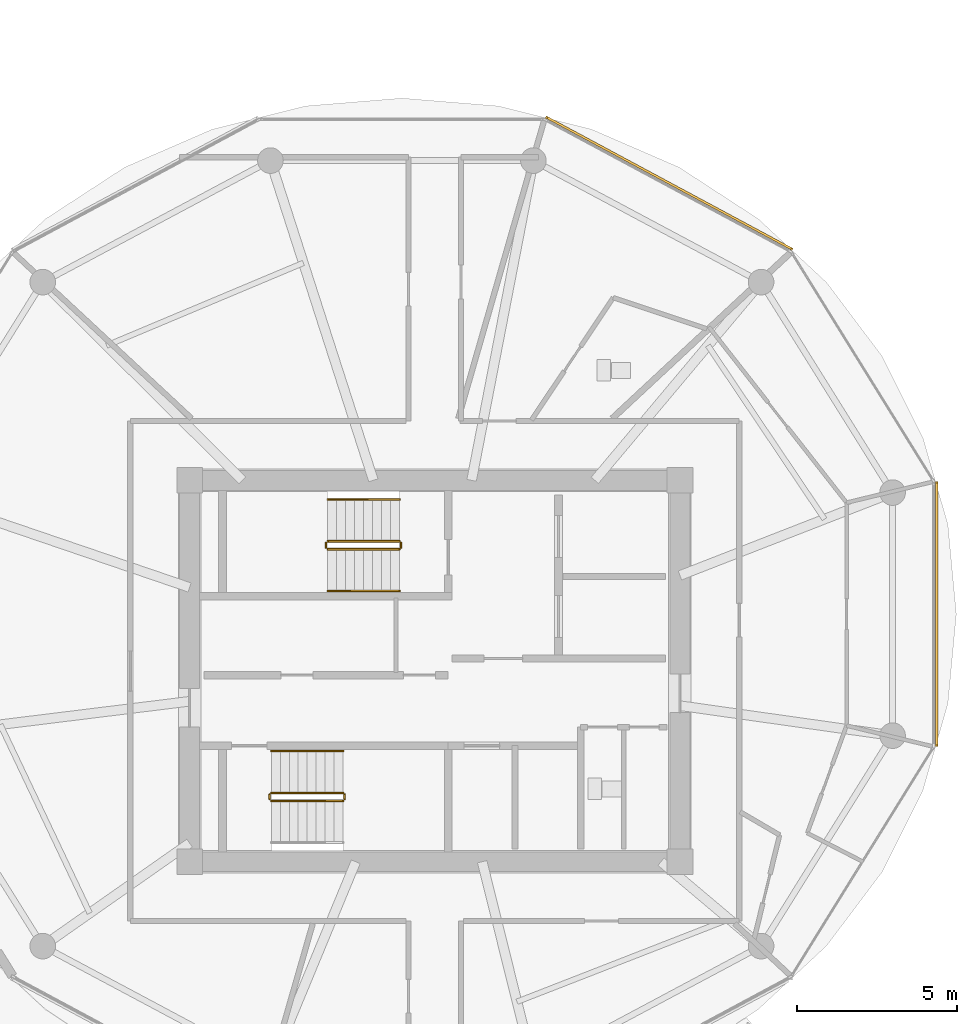
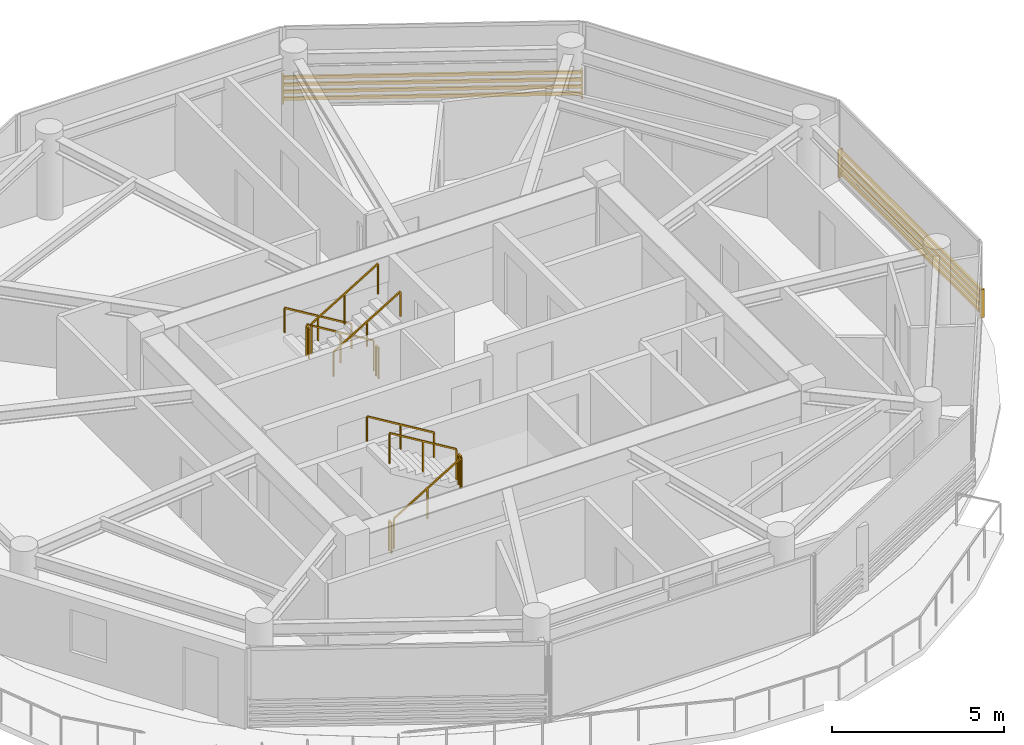
# One storey, part 20 of 21: 11 railings, 2 shading devices.
"""IFC4 building model written with IfcOpenShell, lengths in metres."""

import ifcopenshell
import ifcopenshell.guid

model = None  # the IFC model being written
_history = None  # IfcOwnerHistory: only IFC2X3 demands one
_inside = {}  # id of a spatial element -> (the spatial element, [elements in it])
_under = {}  # id of a project, library or spatial element -> (it, [spatial elements below it])
_declared = {}  # id of a project -> (the project, [libraries it declares])
_typed = {}  # id of a type object -> (the type object, [elements of that type])
_made_of = {}  # id of a material, layer set ... -> (it, [elements and type objects made of it])


def new_model(schema):
    """Start an empty IFC model of exactly this schema.

    Asked for "IFC4X3", IfcOpenShell would pick the latest addendum, in which some entities
    have other attributes; the version numbers below select the first issue.
    IFC2X3 requires an IfcOwnerHistory on every rooted entity: one is made here for all.
    """
    global model, _history
    if schema == "IFC4X3":
        model = ifcopenshell.file(schema_version=(4, 3, 0, 0))
    else:
        model = ifcopenshell.file(schema=schema)
    _inside.clear()
    _under.clear()
    _declared.clear()
    _typed.clear()
    _made_of.clear()
    _history = None
    if model.schema == "IFC2X3":
        org = make("IfcOrganization", Name="unknown")
        user = make(
            "IfcPersonAndOrganization",
            ThePerson=make("IfcPerson", FamilyName="unknown"),
            TheOrganization=org,
        )
        app = make(
            "IfcApplication",
            ApplicationDeveloper=org,
            Version="unknown",
            ApplicationFullName="unknown",
            ApplicationIdentifier="unknown",
        )
        _history = make(
            "IfcOwnerHistory",
            OwningUser=user,
            OwningApplication=app,
            ChangeAction="ADDED",
            CreationDate=0,
        )
    return model


def make(cls, **values):
    """One entity of the class cls with the attributes given. An attribute that is None is left unset."""
    return model.create_entity(
        cls, **{name: value for name, value in values.items() if value is not None}
    )


def rooted(cls, **values):
    """An entity with a GlobalId (a new one), such as an element, a storey or a relation."""
    return make(cls, GlobalId=ifcopenshell.guid.new(), OwnerHistory=_history, **values)


def si_unit(unit_type, name, prefix=None):
    """IfcSIUnit, for example si_unit("LENGTHUNIT", "METRE", prefix="MILLI")."""
    return make("IfcSIUnit", UnitType=unit_type, Prefix=prefix, Name=name)


def assignment(units):
    """IfcUnitAssignment: the units of a project."""
    return None if units is None else make("IfcUnitAssignment", Units=units)


def point(xyz):
    """IfcCartesianPoint."""
    return None if xyz is None else make("IfcCartesianPoint", Coordinates=xyz)


def direction(xyz):
    """IfcDirection."""
    return None if xyz is None else make("IfcDirection", DirectionRatios=xyz)


def frame(location, z_axis=None, x_axis=None):
    """IfcAxis2Placement3D, a coordinate frame: its origin and axes. An axis left out is left unset."""
    return make(
        "IfcAxis2Placement3D",
        Location=point(location),
        Axis=direction(z_axis),
        RefDirection=direction(x_axis),
    )


def frame_2d(location, x_axis=None):
    """IfcAxis2Placement2D, a coordinate frame in the plane: its origin and x axis."""
    return make(
        "IfcAxis2Placement2D", Location=point(location), RefDirection=direction(x_axis)
    )


def origin():
    """The frame at (0, 0, 0) with its axes left unset."""
    return frame((0.0, 0.0, 0.0))


def origin_2d():
    """The frame at (0, 0) in the plane with its x axis left unset."""
    return frame_2d((0.0, 0.0))


def place(relative_to, where):
    """IfcLocalPlacement: puts the frame where relative to a parent placement (None: the world)."""
    return make(
        "IfcLocalPlacement", PlacementRelTo=relative_to, RelativePlacement=where
    )


def context(
    kind, dimensions, precision=None, world=None, true_north=None, identifier=None
):
    """IfcGeometricRepresentationContext, for example the 3D "Model" context."""
    return make(
        "IfcGeometricRepresentationContext",
        ContextIdentifier=identifier,
        ContextType=kind,
        CoordinateSpaceDimension=dimensions,
        Precision=precision,
        WorldCoordinateSystem=world,
        TrueNorth=true_north,
    )


def subcontext(parent, identifier, kind, view, scale=None):
    """IfcGeometricRepresentationSubContext, for example "Body" below "Model"."""
    return make(
        "IfcGeometricRepresentationSubContext",
        ContextIdentifier=identifier,
        ContextType=kind,
        ParentContext=parent,
        TargetScale=scale,
        TargetView=view,
    )


def project(units=None, contexts=None):
    """IfcProject with its units and contexts."""
    return rooted(
        "IfcProject",
        Name="project",
        RepresentationContexts=contexts,
        UnitsInContext=assignment(units),
    )


def spatial(cls, under=None, at=None, **own):
    """A site, building, storey or space (cls), placed at a placement, below another one or the project."""
    s = rooted(cls, ObjectPlacement=at, **own)
    if under is not None:
        _under.setdefault(under.id(), (under, []))[1].append(s)
    return s


def profile(cls, at=None, kind="AREA", **sizes):
    """A parametric profile (cls). Its sizes go by their IFC names, for example OverallWidth=200.0."""
    return make(cls, ProfileType=kind, Position=at, **sizes)


def rectangle(**sizes):
    """IfcRectangleProfileDef."""
    return profile("IfcRectangleProfileDef", **sizes)


def extrude(swept, where, along, depth):
    """IfcExtrudedAreaSolid: the profile swept, set in the frame where, extruded along a direction by depth."""
    return make(
        "IfcExtrudedAreaSolid",
        SweptArea=swept,
        Position=where,
        ExtrudedDirection=direction(along),
        Depth=depth,
    )


def shape(context_of_items, identifier, shape_type, items):
    """IfcShapeRepresentation: the items that make up one representation, for example the "Body"."""
    return make(
        "IfcShapeRepresentation",
        ContextOfItems=context_of_items,
        RepresentationIdentifier=identifier,
        RepresentationType=shape_type,
        Items=items,
    )


def source(mapping_origin, context_of_items, identifier, shape_type, items):
    """IfcRepresentationMap: a shape defined once, which mapped items show again and again."""
    return make(
        "IfcRepresentationMap",
        MappingOrigin=mapping_origin,
        MappedRepresentation=shape(context_of_items, identifier, shape_type, items),
    )


def transform(
    local_origin,
    x_axis=None,
    y_axis=None,
    z_axis=None,
    scale=None,
    scale2=None,
    scale3=None,
    uniform=True,
):
    """IfcCartesianTransformationOperator3D, or its non-uniform kind. x_axis, y_axis, z_axis: its Axis1, 2, 3."""
    if uniform:
        return make(
            "IfcCartesianTransformationOperator3D",
            Axis1=direction(x_axis),
            Axis2=direction(y_axis),
            LocalOrigin=point(local_origin),
            Scale=scale,
            Axis3=direction(z_axis),
        )
    return make(
        "IfcCartesianTransformationOperator3DnonUniform",
        Axis1=direction(x_axis),
        Axis2=direction(y_axis),
        LocalOrigin=point(local_origin),
        Scale=scale,
        Axis3=direction(z_axis),
        Scale2=scale2,
        Scale3=scale3,
    )


def mapped(mapping_source, mapping_target):
    """IfcMappedItem: shows the shape of a source again, moved by a transform."""
    return make(
        "IfcMappedItem", MappingSource=mapping_source, MappingTarget=mapping_target
    )


def material(Name=None, Category=None):
    """IfcMaterial."""
    return make("IfcMaterial", Name=Name, Category=Category)


def made_of(thing, what):
    """Note that an element or type object is made of a material, layer set ...; save() writes the relation."""
    if what is not None:
        _made_of.setdefault(what.id(), (what, []))[1].append(thing)
    return thing


def type_object(cls, material=None, **own):
    """A type object (cls), such as IfcWallType, which elements share."""
    return made_of(rooted(cls, **own), material)


def type_shapes(of_type, sources):
    """Give a type object the sources (RepresentationMaps) that its elements show as mapped items."""
    of_type.RepresentationMaps = sources


def element(
    cls,
    number,
    at=None,
    inside=None,
    cuts=None,
    type_object=None,
    material=None,
    context=None,
    identifier="Body",
    shape_type=None,
    held_by="IfcProductDefinitionShape",
    body=None,
    shapes=None,
    **own,
):
    """One element of the class cls, such as IfcWall. Its Tag is "e" and its number.

    at: its placement. inside: the storey or other place that contains it. cuts: it is an
    opening in that element (IfcRelVoidsElement). A single representation is given by context,
    identifier, shape_type and body (its items); several are given by shapes. held_by: the class
    of the entity that holds the representations. save() writes the other relations.
    """
    e = rooted(cls, Tag="e%d" % number, ObjectPlacement=at, **own)
    if body is not None:
        shapes = [shape(context, identifier, shape_type, body)]
    if shapes is not None:
        e.Representation = make(held_by, Representations=shapes)
    if inside is not None:
        _inside.setdefault(inside.id(), (inside, []))[1].append(e)
    if cuts is not None:
        rooted(
            "IfcRelVoidsElement", RelatingBuildingElement=cuts, RelatedOpeningElement=e
        )
    if type_object is not None:
        _typed.setdefault(type_object.id(), (type_object, []))[1].append(e)
    return made_of(e, material)


def aggregate(whole, parts):
    """IfcRelAggregates: a whole, such as a stair, and the parts it consists of."""
    return rooted("IfcRelAggregates", RelatingObject=whole, RelatedObjects=parts)


def save(model, path):
    """Write the relations noted so far, then the file.

    IfcRelAggregates (storeys below a building ...), IfcRelContainedInSpatialStructure (elements
    in a storey), IfcRelDefinesByType, IfcRelAssociatesMaterial and IfcRelDeclares: one each for
    every whole, place, type object, material and project.
    """
    for whole, parts in _under.values():
        aggregate(whole, parts)
    for where, things in _inside.values():
        rooted(
            "IfcRelContainedInSpatialStructure",
            RelatedElements=things,
            RelatingStructure=where,
        )
    for kind, things in _typed.values():
        rooted("IfcRelDefinesByType", RelatedObjects=things, RelatingType=kind)
    for what, things in _made_of.values():
        rooted("IfcRelAssociatesMaterial", RelatedObjects=things, RelatingMaterial=what)
    for by, libraries in _declared.values():
        rooted("IfcRelDeclares", RelatingContext=by, RelatedDefinitions=libraries)
    model.write(path)


model = new_model("IFC4")

# Units and contexts
model_context = context("Model", 3, precision=1e-05, world=origin(), true_north=direction((0.0, 1.0)))
body_context = subcontext(model_context, "Body", "Model", "MODEL_VIEW")
ifc_project = project(units=[si_unit("LENGTHUNIT", "METRE"), si_unit("AREAUNIT", "SQUARE_METRE"), si_unit("VOLUMEUNIT", "CUBIC_METRE"), si_unit("PLANEANGLEUNIT", "RADIAN"), si_unit("MASSUNIT", "GRAM", prefix="KILO")], contexts=[model_context])

# Site, building, storey
site_placement = place(None, origin())
site = spatial("IfcSite", under=ifc_project, at=site_placement, CompositionType="ELEMENT")
building_placement = place(site_placement, origin())
building = spatial("IfcBuilding", under=site, at=building_placement, Name="Norrkilde Senior Care Towers", CompositionType="ELEMENT")
storey_placement = place(building_placement, frame((0.0, 0.0, 146.5)))
storey = spatial("IfcBuildingStorey", under=building, at=storey_placement, Name="L45", CompositionType="ELEMENT", Elevation=146.5)

# Railings
ifc_material_1 = material(Name="Stainless Steel", Category="steel")
railing_type_1 = type_object("IfcRailingType", Name="Stair and Terrace Guardrail 1100", PredefinedType="GUARDRAIL", material=ifc_material_1)
railing_1_placement = place(storey_placement, frame((26.89990234375, 4.050048828125, 0.16943359375)))
element("IfcRailing", 1, at=railing_1_placement, inside=storey, type_object=railing_type_1, Name="L45 ST-E1 stair guard 1", PredefinedType="GUARDRAIL", context=body_context, shape_type="SweptSolid", body=[
    extrude(rectangle(XDim=0.048095703125, YDim=0.048095703125, at=origin_2d()), frame((0.0, 0.0, 1.076171875), z_axis=(-0.855553338991, 0.0, 0.51771467445), x_axis=(0.0, -1.0, 0.0)), (0.0, 0.0, 1.0), 2.6181640625),
    extrude(rectangle(XDim=0.0419921875, YDim=0.0419921875, at=origin_2d()), origin(), (0.0, 0.0, 1.0), 1.050048828125),
    extrude(rectangle(XDim=0.0419921875, YDim=0.0419921875, at=origin_2d()), frame((-1.1201171875, 0.0, 0.677734375)), (0.0, 0.0, 1.0), 1.050048828125),
    extrude(rectangle(XDim=0.0419921875, YDim=0.0419921875, at=origin_2d()), frame((-2.239990234375, 0.0, 1.35546875)), (0.0, 0.0, 1.0), 1.050048828125),
])
railing_2_placement = place(storey_placement, frame((24.610107421875, 4.0, 1.52490234375)))
element("IfcRailing", 2, at=railing_2_placement, inside=storey, type_object=railing_type_1, Name="L45 ST-E1 stair guard 2", PredefinedType="GUARDRAIL", context=body_context, shape_type="SweptSolid", body=[
    extrude(rectangle(XDim=0.048095703125, YDim=0.048095703125, at=origin_2d()), frame((0.0, 0.0, 1.076171875), z_axis=(0.0, -1.0, 0.0), x_axis=(1.0, 0.0, 0.0)), (0.0, 0.0, 1.0), 0.14990234375),
    extrude(rectangle(XDim=0.0419921875, YDim=0.0419921875, at=origin_2d()), origin(), (0.0, 0.0, 1.0), 1.050048828125),
    extrude(rectangle(XDim=0.0419921875, YDim=0.0419921875, at=origin_2d()), frame((0.0, -0.14990234375, 0.0)), (0.0, 0.0, 1.0), 1.050048828125),
])
railing_3_placement = place(storey_placement, frame((24.659912109375, 3.800048828125, 1.6943359375)))
element("IfcRailing", 3, at=railing_3_placement, inside=storey, type_object=railing_type_1, Name="L45 ST-E1 stair guard 3", PredefinedType="GUARDRAIL", context=body_context, shape_type="SweptSolid", body=[
    extrude(rectangle(XDim=0.048095703125, YDim=0.048095703125, at=origin_2d()), frame((0.0, 0.0, 1.076171875), z_axis=(0.855512035549, 0.0, 0.517782924622), x_axis=(0.0, 1.0, 0.0)), (0.0, 0.0, 1.0), 2.618408203125),
    extrude(rectangle(XDim=0.0419921875, YDim=0.0419921875, at=origin_2d()), origin(), (0.0, 0.0, 1.0), 1.050048828125),
    extrude(rectangle(XDim=0.0419921875, YDim=0.0419921875, at=origin_2d()), frame((1.1201171875, 0.0, 0.677734375)), (0.0, 0.0, 1.0), 1.050048828125),
    extrude(rectangle(XDim=0.0419921875, YDim=0.0419921875, at=origin_2d()), frame((2.239990234375, 0.0, 1.355712890625)), (0.0, 0.0, 1.0), 1.050048828125),
])
railing_4_placement = place(storey_placement, frame((26.949951171875, 4.0, 0.0)))
element("IfcRailing", 4, at=railing_4_placement, inside=storey, type_object=railing_type_1, Name="L45 ST-E1 stair guard 4", PredefinedType="GUARDRAIL", context=body_context, shape_type="SweptSolid", body=[
    extrude(rectangle(XDim=0.048095703125, YDim=0.048095703125, at=origin_2d()), frame((0.0, 0.0, 1.076171875), z_axis=(0.0, -1.0, 0.0), x_axis=(1.0, 0.0, 0.0)), (0.0, 0.0, 1.0), 0.14990234375),
    extrude(rectangle(XDim=0.0419921875, YDim=0.0419921875, at=origin_2d()), origin(), (0.0, 0.0, 1.0), 1.050048828125),
    extrude(rectangle(XDim=0.0419921875, YDim=0.0419921875, at=origin_2d()), frame((0.0, -0.14990234375, 0.0)), (0.0, 0.0, 1.0), 1.050048828125),
])
railing_5_placement = place(storey_placement, frame((22.89990234375, -4.050048828125, 0.16943359375)))
element("IfcRailing", 5, at=railing_5_placement, inside=storey, type_object=railing_type_1, Name="L45 ST-E2 stair guard 1", PredefinedType="GUARDRAIL", context=body_context, shape_type="SweptSolid", body=[
    extrude(rectangle(XDim=0.048095703125, YDim=0.048095703125, at=origin_2d()), frame((0.0, 0.0, 1.076171875), z_axis=(0.855553338991, 0.0, 0.51771467445), x_axis=(0.0, 1.0, 0.0)), (0.0, 0.0, 1.0), 2.6181640625),
    extrude(rectangle(XDim=0.0419921875, YDim=0.0419921875, at=origin_2d()), origin(), (0.0, 0.0, 1.0), 1.050048828125),
    extrude(rectangle(XDim=0.0419921875, YDim=0.0419921875, at=origin_2d()), frame((1.1201171875, 0.0, 0.677734375)), (0.0, 0.0, 1.0), 1.050048828125),
    extrude(rectangle(XDim=0.0419921875, YDim=0.0419921875, at=origin_2d()), frame((2.239990234375, 0.0, 1.35546875)), (0.0, 0.0, 1.0), 1.050048828125),
])
railing_6_placement = place(storey_placement, frame((25.18994140625, -4.0, 1.52490234375)))
element("IfcRailing", 6, at=railing_6_placement, inside=storey, type_object=railing_type_1, Name="L45 ST-E2 stair guard 2", PredefinedType="GUARDRAIL", context=body_context, shape_type="SweptSolid", body=[
    extrude(rectangle(XDim=0.048095703125, YDim=0.048095703125, at=origin_2d()), frame((0.0, 0.0, 1.076171875), z_axis=(0.0, 1.0, 0.0), x_axis=(-1.0, 0.0, 0.0)), (0.0, 0.0, 1.0), 0.14990234375),
    extrude(rectangle(XDim=0.0419921875, YDim=0.0419921875, at=origin_2d()), origin(), (0.0, 0.0, 1.0), 1.050048828125),
    extrude(rectangle(XDim=0.0419921875, YDim=0.0419921875, at=origin_2d()), frame((0.0, 0.14990234375, 0.0)), (0.0, 0.0, 1.0), 1.050048828125),
])
railing_7_placement = place(storey_placement, frame((25.139892578125, -3.800048828125, 1.6943359375)))
element("IfcRailing", 7, at=railing_7_placement, inside=storey, type_object=railing_type_1, Name="L45 ST-E2 stair guard 3", PredefinedType="GUARDRAIL", context=body_context, shape_type="SweptSolid", body=[
    extrude(rectangle(XDim=0.048095703125, YDim=0.048095703125, at=origin_2d()), frame((0.0, 0.0, 1.076171875), z_axis=(-0.855512035549, 0.0, 0.517782924622), x_axis=(0.0, -1.0, 0.0)), (0.0, 0.0, 1.0), 2.618408203125),
    extrude(rectangle(XDim=0.0419921875, YDim=0.0419921875, at=origin_2d()), origin(), (0.0, 0.0, 1.0), 1.050048828125),
    extrude(rectangle(XDim=0.0419921875, YDim=0.0419921875, at=origin_2d()), frame((-1.1201171875, 0.0, 0.677734375)), (0.0, 0.0, 1.0), 1.050048828125),
    extrude(rectangle(XDim=0.0419921875, YDim=0.0419921875, at=origin_2d()), frame((-2.239990234375, 0.0, 1.355712890625)), (0.0, 0.0, 1.0), 1.050048828125),
])
railing_8_placement = place(storey_placement, frame((22.85009765625, -4.0, 0.0)))
element("IfcRailing", 8, at=railing_8_placement, inside=storey, type_object=railing_type_1, Name="L45 ST-E2 stair guard 4", PredefinedType="GUARDRAIL", context=body_context, shape_type="SweptSolid", body=[
    extrude(rectangle(XDim=0.048095703125, YDim=0.048095703125, at=origin_2d()), frame((0.0, 0.0, 1.076171875), z_axis=(0.0, 1.0, 0.0), x_axis=(-1.0, 0.0, 0.0)), (0.0, 0.0, 1.0), 0.14990234375),
    extrude(rectangle(XDim=0.0419921875, YDim=0.0419921875, at=origin_2d()), origin(), (0.0, 0.0, 1.0), 1.050048828125),
    extrude(rectangle(XDim=0.0419921875, YDim=0.0419921875, at=origin_2d()), frame((0.0, 0.14990234375, 0.0)), (0.0, 0.0, 1.0), 1.050048828125),
])
ifc_material_2 = material(Name="Nordic Ash Timber", Category="wood")
railing_type_2 = type_object("IfcRailingType", Name="Wall and Stair Handrail 900", PredefinedType="HANDRAIL", material=ifc_material_2)
railing_9_placement = place(storey_placement, frame((26.89990234375, 5.35009765625, 0.16943359375)))
element("IfcRailing", 9, at=railing_9_placement, inside=storey, type_object=railing_type_2, Name="L45 ST-E1 stair handrail 1", PredefinedType="HANDRAIL", context=body_context, shape_type="SweptSolid", body=[
    extrude(rectangle(XDim=0.048095703125, YDim=0.048095703125, at=origin_2d()), frame((0.0, 0.0, 0.8759765625), z_axis=(-0.855553338991, 0.0, 0.51771467445), x_axis=(0.0, -1.0, 0.0)), (0.0, 0.0, 1.0), 2.6181640625),
    extrude(rectangle(XDim=0.0419921875, YDim=0.0419921875, at=origin_2d()), origin(), (0.0, 0.0, 1.0), 0.849853515625),
    extrude(rectangle(XDim=0.0419921875, YDim=0.0419921875, at=origin_2d()), frame((-1.1201171875, 0.0, 0.677734375)), (0.0, 0.0, 1.0), 0.849853515625),
    extrude(rectangle(XDim=0.0419921875, YDim=0.0419921875, at=origin_2d()), frame((-2.239990234375, 0.0, 1.35546875)), (0.0, 0.0, 1.0), 0.849853515625),
])
railing_10_placement = place(storey_placement, frame((24.659912109375, 2.5, 1.6943359375)))
element("IfcRailing", 10, at=railing_10_placement, inside=storey, type_object=railing_type_2, Name="L45 ST-E1 stair handrail 2", PredefinedType="HANDRAIL", context=body_context, shape_type="SweptSolid", body=[
    extrude(rectangle(XDim=0.048095703125, YDim=0.048095703125, at=origin_2d()), frame((0.0, 0.0, 0.8759765625), z_axis=(0.855512035549, 0.0, 0.517782924622), x_axis=(0.0, 1.0, 0.0)), (0.0, 0.0, 1.0), 2.618408203125),
    extrude(rectangle(XDim=0.0419921875, YDim=0.0419921875, at=origin_2d()), origin(), (0.0, 0.0, 1.0), 0.849853515625),
    extrude(rectangle(XDim=0.0419921875, YDim=0.0419921875, at=origin_2d()), frame((1.1201171875, 0.0, 0.677734375)), (0.0, 0.0, 1.0), 0.849853515625),
    extrude(rectangle(XDim=0.0419921875, YDim=0.0419921875, at=origin_2d()), frame((2.239990234375, 0.0, 1.355712890625)), (0.0, 0.0, 1.0), 0.849853515625),
])
railing_11_placement = place(storey_placement, frame((25.139892578125, -2.5, 1.6943359375)))
element("IfcRailing", 11, at=railing_11_placement, inside=storey, type_object=railing_type_2, Name="L45 ST-E2 stair handrail 2", PredefinedType="HANDRAIL", context=body_context, shape_type="SweptSolid", body=[
    extrude(rectangle(XDim=0.048095703125, YDim=0.048095703125, at=origin_2d()), frame((0.0, 0.0, 0.8759765625), z_axis=(-0.855512035549, 0.0, 0.517782924622), x_axis=(0.0, -1.0, 0.0)), (0.0, 0.0, 1.0), 2.618408203125),
    extrude(rectangle(XDim=0.0419921875, YDim=0.0419921875, at=origin_2d()), origin(), (0.0, 0.0, 1.0), 0.849853515625),
    extrude(rectangle(XDim=0.0419921875, YDim=0.0419921875, at=origin_2d()), frame((-1.1201171875, 0.0, 0.677734375)), (0.0, 0.0, 1.0), 0.849853515625),
    extrude(rectangle(XDim=0.0419921875, YDim=0.0419921875, at=origin_2d()), frame((-2.239990234375, 0.0, 1.355712890625)), (0.0, 0.0, 1.0), 0.849853515625),
])

# Shading devices
ifc_material_3 = material(Name="Architectural Terracotta", Category="masonry")
shading_device_type = type_object("IfcShadingDeviceType", Name="Horizontal Terracotta Baguette Rack", PredefinedType="USERDEFINED", material=ifc_material_3)
shared_shape_1 = source(origin(), body_context, "Body", "SweptSolid", [
    extrude(rectangle(XDim=0.070068359375, YDim=0.110107421875, at=origin_2d()), frame((0.0, 0.090087890625, 0.125), z_axis=(1.0, 0.0, 0.0), x_axis=(0.0, 1.0, 0.0)), (0.0, 0.0, 1.0), 8.74169921875),
    extrude(rectangle(XDim=0.070068359375, YDim=0.110107421875, at=origin_2d()), frame((0.0, 0.090087890625, 0.375), z_axis=(1.0, 0.0, 0.0), x_axis=(0.0, 1.0, 0.0)), (0.0, 0.0, 1.0), 8.74169921875),
    extrude(rectangle(XDim=0.070068359375, YDim=0.110107421875, at=origin_2d()), frame((0.0, 0.090087890625, 0.625), z_axis=(1.0, 0.0, 0.0), x_axis=(0.0, 1.0, 0.0)), (0.0, 0.0, 1.0), 8.74169921875),
    extrude(rectangle(XDim=0.070068359375, YDim=0.110107421875, at=origin_2d()), frame((0.0, 0.090087890625, 0.875), z_axis=(1.0, 0.0, 0.0), x_axis=(0.0, 1.0, 0.0)), (0.0, 0.0, 1.0), 8.74169921875),
    extrude(rectangle(XDim=0.050048828125, YDim=0.1552734375, at=origin_2d()), frame((0.02490234375, 0.047607421875, 0.0)), (0.0, 0.0, 1.0), 1.0),
    extrude(rectangle(XDim=0.050048828125, YDim=0.1552734375, at=origin_2d()), frame((8.716796875, 0.047607421875, 0.0)), (0.0, 0.0, 1.0), 1.0),
])
shading_device_1_placement = place(storey_placement, frame((31.421630859375, 17.2109375, 0.080078125), z_axis=(0.0, 0.0, 1.0), x_axis=(0.880997598168, -0.47313299447, 0.0)))
element("IfcShadingDevice", 12, at=shading_device_1_placement, inside=storey, type_object=shading_device_type, Name="L45 Drum E Terracotta Baguette Screen 01", ObjectType="BAGUETTE", PredefinedType="USERDEFINED", context=body_context, shape_type="MappedRepresentation", body=[
    mapped(shared_shape_1, transform((0.0, 0.0, 0.0), x_axis=(1.0, 0.0, 0.0), y_axis=(0.0, 1.0, 0.0), z_axis=(0.0, 0.0, 1.0), scale=1.0)),
])
shared_shape_2 = source(origin(), body_context, "Body", "SweptSolid", [
    extrude(rectangle(XDim=0.070068359375, YDim=0.110107421875, at=origin_2d()), frame((0.0, 0.090087890625, 0.125), z_axis=(1.0, 0.0, 0.0), x_axis=(0.0, 1.0, 0.0)), (0.0, 0.0, 1.0), 8.27197265625),
    extrude(rectangle(XDim=0.070068359375, YDim=0.110107421875, at=origin_2d()), frame((0.0, 0.090087890625, 0.375), z_axis=(1.0, 0.0, 0.0), x_axis=(0.0, 1.0, 0.0)), (0.0, 0.0, 1.0), 8.27197265625),
    extrude(rectangle(XDim=0.070068359375, YDim=0.110107421875, at=origin_2d()), frame((0.0, 0.090087890625, 0.625), z_axis=(1.0, 0.0, 0.0), x_axis=(0.0, 1.0, 0.0)), (0.0, 0.0, 1.0), 8.27197265625),
    extrude(rectangle(XDim=0.070068359375, YDim=0.110107421875, at=origin_2d()), frame((0.0, 0.090087890625, 0.875), z_axis=(1.0, 0.0, 0.0), x_axis=(0.0, 1.0, 0.0)), (0.0, 0.0, 1.0), 8.27197265625),
    extrude(rectangle(XDim=0.050048828125, YDim=0.1552734375, at=origin_2d()), frame((0.02490234375, 0.047607421875, 0.0)), (0.0, 0.0, 1.0), 1.0),
    extrude(rectangle(XDim=0.050048828125, YDim=0.1552734375, at=origin_2d()), frame((8.2470703125, 0.047607421875, 0.0)), (0.0, 0.0, 1.0), 1.0),
])
type_shapes(shading_device_type, [shared_shape_1, shared_shape_2])
shading_device_2_placement = place(storey_placement, frame((43.569580078125, 5.911376953125, 0.080078125), z_axis=(0.0, 0.0, 1.0), x_axis=(0.0, -1.0, 0.0)))
element("IfcShadingDevice", 13, at=shading_device_2_placement, inside=storey, type_object=shading_device_type, Name="L45 Drum E Terracotta Baguette Screen 11", ObjectType="BAGUETTE", PredefinedType="USERDEFINED", context=body_context, shape_type="MappedRepresentation", body=[
    mapped(shared_shape_2, transform((0.0, 0.0, 0.0), x_axis=(1.0, 0.0, 0.0), y_axis=(0.0, 1.0, 0.0), z_axis=(0.0, 0.0, 1.0), scale=1.0)),
])

save(model, "model.ifc")
